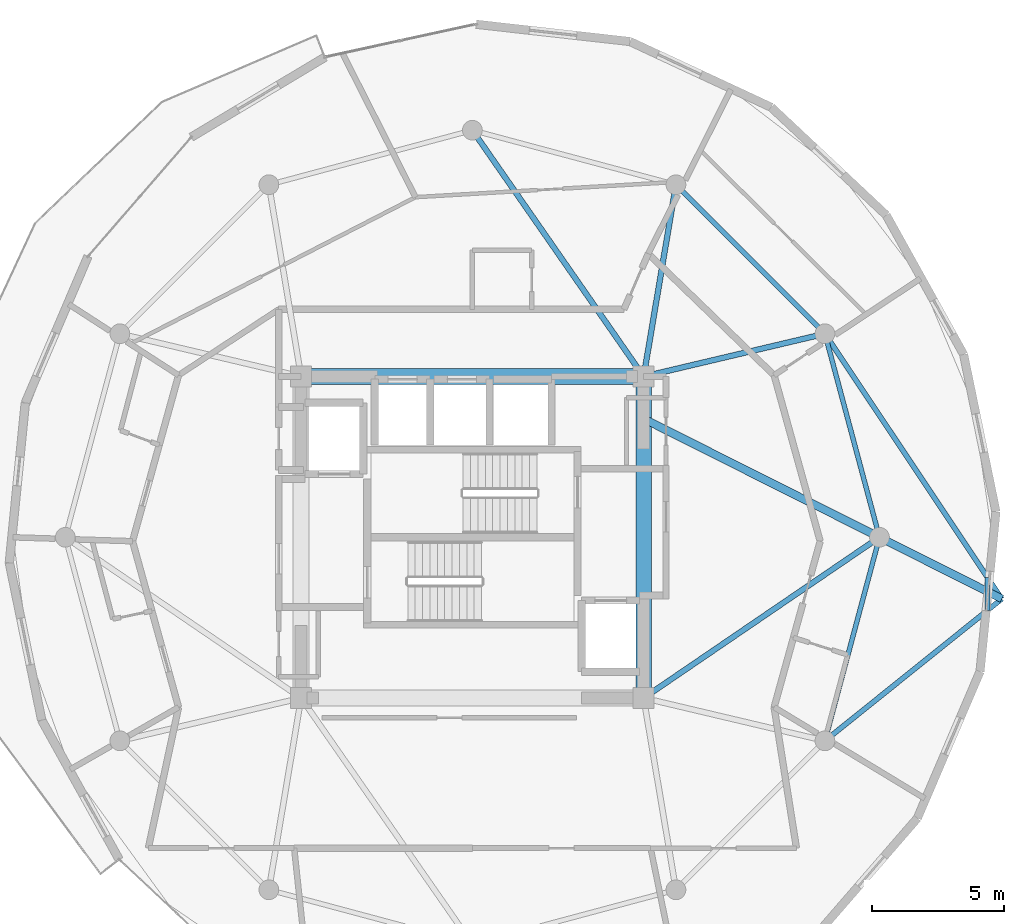
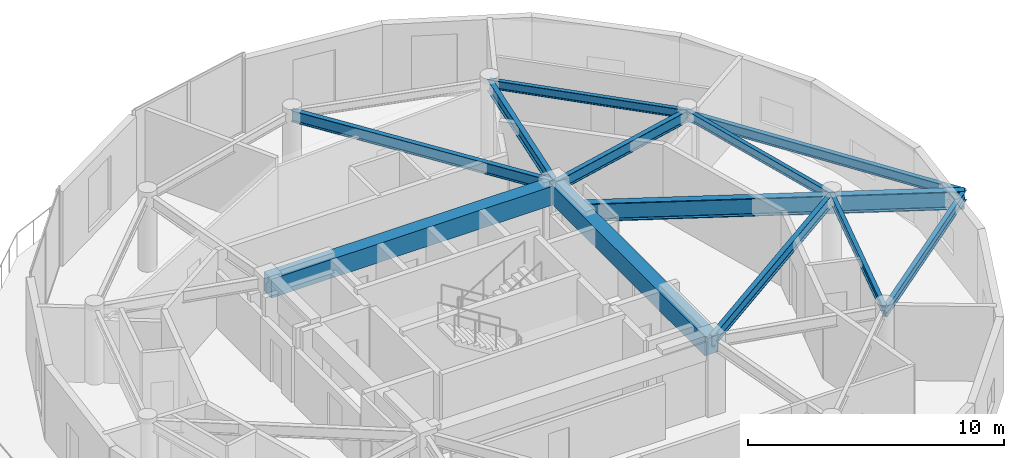
# One storey, part 7 of 15: 14 beams.
"""IFC4 building model written with IfcOpenShell, lengths in metres."""

from ifc_helpers import new_model, si_unit, direction, frame, origin, origin_2d, place, context, subcontext, project, spatial, rectangle, i_section, extrude, material, material_profile, profile_set, type_object, element, save


model = new_model("IFC4")

# Units and contexts
model_context = context("Model", 3, precision=1e-05, world=origin(), true_north=direction((0.0, 1.0)))
body_context = subcontext(model_context, "Body", "Model", "MODEL_VIEW")
ifc_project = project(units=[si_unit("LENGTHUNIT", "METRE"), si_unit("AREAUNIT", "SQUARE_METRE"), si_unit("VOLUMEUNIT", "CUBIC_METRE"), si_unit("PLANEANGLEUNIT", "RADIAN"), si_unit("MASSUNIT", "GRAM", prefix="KILO")], contexts=[model_context])

# Site, building, storey
site_placement = place(None, origin())
site = spatial("IfcSite", under=ifc_project, at=site_placement, CompositionType="ELEMENT")
building_placement = place(site_placement, origin())
building = spatial("IfcBuilding", under=site, at=building_placement, Name="Solvirekh Grand Hotel", CompositionType="ELEMENT")
storey_placement = place(building_placement, frame((0.0, 0.0, 270.60009765625)))
storey = spatial("IfcBuildingStorey", under=building, at=storey_placement, Name="L70", CompositionType="ELEMENT", Elevation=270.60009765625)

# Beams
ifc_material_1 = material(Name="Concrete C50/60", Category="concrete")
ifc_material_profile_1 = material_profile(ifc_material_1, rectangle(XDim=0.60009765625, YDim=0.89990234375, at=origin_2d()), Name="RC BEAM 600X900")
ifc_profile_set_1 = profile_set([ifc_material_profile_1], Name="Concrete C50/60")
beam_type_1 = type_object("IfcBeamType", Name="Beam_Core_RC900", PredefinedType="BEAM", material=ifc_profile_set_1)
beam_1_placement = place(storey_placement, frame((6.5, -6.10009765625, 3.119873046875), z_axis=(0.0, 1.0, 0.0), x_axis=(-1.0, 0.0, 0.0)))
element("IfcBeam", 1, at=beam_1_placement, inside=storey, type_object=beam_type_1, Name="L70 core coupling ring beam 2", PredefinedType="BEAM", context=body_context, shape_type="SweptSolid", body=[
    extrude(rectangle(XDim=0.60009765625, YDim=0.89990234375, at=origin_2d()), origin(), (0.0, 0.0, 1.0), 12.2001953125),
])
beam_2_placement = place(storey_placement, frame((6.5, 6.10009765625, 3.119873046875), z_axis=(-1.0, 0.0, 0.0), x_axis=(0.0, -1.0, 0.0)))
element("IfcBeam", 2, at=beam_2_placement, inside=storey, type_object=beam_type_1, Name="L70 core coupling ring beam 3", PredefinedType="BEAM", context=body_context, shape_type="SweptSolid", body=[
    extrude(rectangle(XDim=0.60009765625, YDim=0.89990234375, at=origin_2d()), origin(), (0.0, 0.0, 1.0), 13.0),
])
ifc_material_2 = material(Name="Steel S460", Category="steel")
ifc_material_profile_2 = material_profile(ifc_material_2, i_section(OverallWidth=0.302001953125, OverallDepth=0.85498046875, WebThickness=0.01904296875, FlangeThickness=0.032958984375, FilletRadius=0.01806640625, at=origin_2d()), Name="W840X299")
ifc_profile_set_2 = profile_set([ifc_material_profile_2], Name="Steel S460")
beam_type_2 = type_object("IfcBeamType", Name="Beam_PoolTie_W840", PredefinedType="BEAM", material=ifc_profile_set_2)
beam_3_placement = place(storey_placement, frame((6.5, 4.5, 3.06201171875), z_axis=(0.893425737067, -0.449210921891, 0.0), x_axis=(0.449210921891, 0.893425737067, 0.0)))
element("IfcBeam", 3, at=beam_3_placement, inside=storey, type_object=beam_type_2, Name="L71 sky-garden back-span tie girder", PredefinedType="BEAM", context=body_context, shape_type="SweptSolid", body=[
    extrude(i_section(OverallWidth=0.302001953125, OverallDepth=0.85498046875, WebThickness=0.01904296875, FlangeThickness=0.032958984375, FilletRadius=0.01806640625, at=origin_2d()), origin(), (0.0, 0.0, 1.0), 10.017578125),
])
beam_4_placement = place(storey_placement, frame((15.449951171875, 0.0, 3.06201171875), z_axis=(0.893429667984, -0.449203103692, 0.0), x_axis=(0.449203103692, 0.893429667984, 0.0)))
element("IfcBeam", 4, at=beam_4_placement, inside=storey, type_object=beam_type_2, Name="L71 sky-garden primary cantilever bracket", PredefinedType="BEAM", context=body_context, shape_type="SweptSolid", body=[
    extrude(i_section(OverallWidth=0.302001953125, OverallDepth=0.85498046875, WebThickness=0.01904296875, FlangeThickness=0.032958984375, FilletRadius=0.01806640625, at=origin_2d()), origin(), (0.0, 0.0, 1.0), 5.2001953125),
])
ifc_material_3 = material(Name="Steel S355", Category="steel")
ifc_material_profile_3 = material_profile(ifc_material_3, i_section(OverallWidth=0.194091796875, OverallDepth=0.468994140625, WebThickness=0.010986328125, FlangeThickness=0.01904296875, FilletRadius=0.012939453125, at=origin_2d()), Name="W460X106")
ifc_profile_set_3 = profile_set([ifc_material_profile_3], Name="Steel S355")
beam_type_3 = type_object("IfcBeamType", Name="Beam_Radial_W460H", PredefinedType="BEAM", material=ifc_profile_set_3)
beam_5_placement = place(storey_placement, frame((13.3798828125, -7.72509765625, 3.2548828125), z_axis=(0.779944084634, 0.625849202959, 0.0), x_axis=(-0.625849202959, 0.779944084634, 0.0)))
element("IfcBeam", 5, at=beam_5_placement, inside=storey, type_object=beam_type_3, Name="L71 sky-garden edge tie beam 1", PredefinedType="BEAM", context=body_context, shape_type="SweptSolid", body=[
    extrude(i_section(OverallWidth=0.194091796875, OverallDepth=0.468994140625, WebThickness=0.010986328125, FlangeThickness=0.01904296875, FilletRadius=0.012939453125, at=origin_2d()), origin(), (0.0, 0.0, 1.0), 8.61083984375),
])
beam_6_placement = place(storey_placement, frame((13.3798828125, 7.72509765625, 3.2548828125), z_axis=(0.555198447485, -0.83171791126, 0.0), x_axis=(0.83171791126, 0.555198447485, 0.0)))
element("IfcBeam", 6, at=beam_6_placement, inside=storey, type_object=beam_type_3, Name="L71 sky-garden edge tie beam 2", PredefinedType="BEAM", context=body_context, shape_type="SweptSolid", body=[
    extrude(i_section(OverallWidth=0.194091796875, OverallDepth=0.468994140625, WebThickness=0.010986328125, FlangeThickness=0.01904296875, FilletRadius=0.012939453125, at=origin_2d()), origin(), (0.0, 0.0, 1.0), 12.0966796875),
])
beam_7_placement = place(storey_placement, frame((19.552978515625, -2.77197265625, 3.2548828125), z_axis=(0.0, 1.0, 0.0), x_axis=(-1.0, 0.0, 0.0)))
element("IfcBeam", 7, at=beam_7_placement, inside=storey, type_object=beam_type_3, Name="L71 sky-garden outer cross trimmer", PredefinedType="BEAM", context=body_context, shape_type="SweptSolid", body=[
    extrude(i_section(OverallWidth=0.194091796875, OverallDepth=0.468994140625, WebThickness=0.010986328125, FlangeThickness=0.01904296875, FilletRadius=0.012939453125, at=origin_2d()), origin(), (0.0, 0.0, 1.0), 1.25),
])
ifc_material_profile_4 = material_profile(ifc_material_3, i_section(OverallWidth=0.2119140625, OverallDepth=0.5439453125, WebThickness=0.011962890625, FlangeThickness=0.01904296875, FilletRadius=0.013916015625, at=origin_2d()), Name="W530X123")
ifc_profile_set_4 = profile_set([ifc_material_profile_4], Name="Steel S355")
beam_type_4 = type_object("IfcBeamType", Name="Beam_Radial_W530H", PredefinedType="BEAM", material=ifc_profile_set_4)
beam_8_placement = place(storey_placement, frame((6.5, -6.10009765625, 3.2978515625), z_axis=(0.826319370306, 0.563201827285, 0.0), x_axis=(-0.563201827285, 0.826319370306, 0.0)))
element("IfcBeam", 8, at=beam_8_placement, inside=storey, type_object=beam_type_4, Name="L70 radial floor beam R01", PredefinedType="BEAM", context=body_context, shape_type="SweptSolid", body=[
    extrude(i_section(OverallWidth=0.2119140625, OverallDepth=0.5439453125, WebThickness=0.011962890625, FlangeThickness=0.01904296875, FilletRadius=0.013916015625, at=origin_2d()), origin(), (0.0, 0.0, 1.0), 10.8310546875),
])
beam_9_placement = place(storey_placement, frame((6.5, 6.10009765625, 3.2978515625), z_axis=(0.973221147544, 0.229870828888, 0.0), x_axis=(-0.229870828888, 0.973221147544, 0.0)))
element("IfcBeam", 9, at=beam_9_placement, inside=storey, type_object=beam_type_4, Name="L70 radial floor beam R02", PredefinedType="BEAM", context=body_context, shape_type="SweptSolid", body=[
    extrude(i_section(OverallWidth=0.2119140625, OverallDepth=0.5439453125, WebThickness=0.011962890625, FlangeThickness=0.01904296875, FilletRadius=0.013916015625, at=origin_2d()), origin(), (0.0, 0.0, 1.0), 7.069091796875),
])
beam_10_placement = place(storey_placement, frame((6.5, 6.10009765625, 3.2978515625), z_axis=(0.165954049106, 0.986133486697, 0.0), x_axis=(-0.986133486697, 0.165954049106, 0.0)))
element("IfcBeam", 10, at=beam_10_placement, inside=storey, type_object=beam_type_4, Name="L70 radial floor beam R03", PredefinedType="BEAM", context=body_context, shape_type="SweptSolid", body=[
    extrude(i_section(OverallWidth=0.2119140625, OverallDepth=0.5439453125, WebThickness=0.011962890625, FlangeThickness=0.01904296875, FilletRadius=0.013916015625, at=origin_2d()), origin(), (0.0, 0.0, 1.0), 7.382080078125),
])
beam_11_placement = place(storey_placement, frame((6.5, 6.10009765625, 3.2978515625), z_axis=(-0.570813192472, 0.821079959139, 0.0), x_axis=(-0.821079959139, -0.570813192472, 0.0)))
element("IfcBeam", 11, at=beam_11_placement, inside=storey, type_object=beam_type_4, Name="L70 radial floor beam R04", PredefinedType="BEAM", context=body_context, shape_type="SweptSolid", body=[
    extrude(i_section(OverallWidth=0.2119140625, OverallDepth=0.5439453125, WebThickness=0.011962890625, FlangeThickness=0.01904296875, FilletRadius=0.013916015625, at=origin_2d()), origin(), (0.0, 0.0, 1.0), 11.38720703125),
])
ifc_material_profile_5 = material_profile(ifc_material_3, i_section(OverallWidth=0.180908203125, OverallDepth=0.4169921875, WebThickness=0.010009765625, FlangeThickness=0.01611328125, FilletRadius=0.011962890625, at=origin_2d()), Name="W410X85")
ifc_profile_set_5 = profile_set([ifc_material_profile_5], Name="Steel S355")
beam_type_5 = type_object("IfcBeamType", Name="Spandrel_Ring_W410", PredefinedType="SPANDREL", material=ifc_profile_set_5)
beam_12_placement = place(storey_placement, frame((15.449951171875, 0.0, 3.36181640625), z_axis=(-0.258834757072, 0.965921616143, 0.0), x_axis=(-0.965921616143, -0.258834757072, 0.0)))
element("IfcBeam", 12, at=beam_12_placement, inside=storey, type_object=beam_type_5, Name="L70 perimeter spandrel beam 1", PredefinedType="SPANDREL", context=body_context, shape_type="SweptSolid", body=[
    extrude(i_section(OverallWidth=0.180908203125, OverallDepth=0.4169921875, WebThickness=0.010009765625, FlangeThickness=0.01611328125, FilletRadius=0.011962890625, at=origin_2d()), origin(), (0.0, 0.0, 1.0), 7.99755859375),
])
beam_13_placement = place(storey_placement, frame((13.3798828125, 7.72509765625, 3.36181640625), z_axis=(-0.707106781187, 0.707106781187, 0.0), x_axis=(-0.707106781187, -0.707106781187, 0.0)))
element("IfcBeam", 13, at=beam_13_placement, inside=storey, type_object=beam_type_5, Name="L70 perimeter spandrel beam 2", PredefinedType="SPANDREL", context=body_context, shape_type="SweptSolid", body=[
    extrude(i_section(OverallWidth=0.180908203125, OverallDepth=0.4169921875, WebThickness=0.010009765625, FlangeThickness=0.01611328125, FilletRadius=0.011962890625, at=origin_2d()), origin(), (0.0, 0.0, 1.0), 7.9970703125),
])
beam_14_placement = place(storey_placement, frame((13.3798828125, -7.72509765625, 3.36181640625), z_axis=(0.258834757072, 0.965921616143, 0.0), x_axis=(-0.965921616143, 0.258834757072, 0.0)))
element("IfcBeam", 14, at=beam_14_placement, inside=storey, type_object=beam_type_5, Name="L70 perimeter spandrel beam 12", PredefinedType="SPANDREL", context=body_context, shape_type="SweptSolid", body=[
    extrude(i_section(OverallWidth=0.180908203125, OverallDepth=0.4169921875, WebThickness=0.010009765625, FlangeThickness=0.01611328125, FilletRadius=0.011962890625, at=origin_2d()), origin(), (0.0, 0.0, 1.0), 7.99755859375),
])

save(model, "model.ifc")
